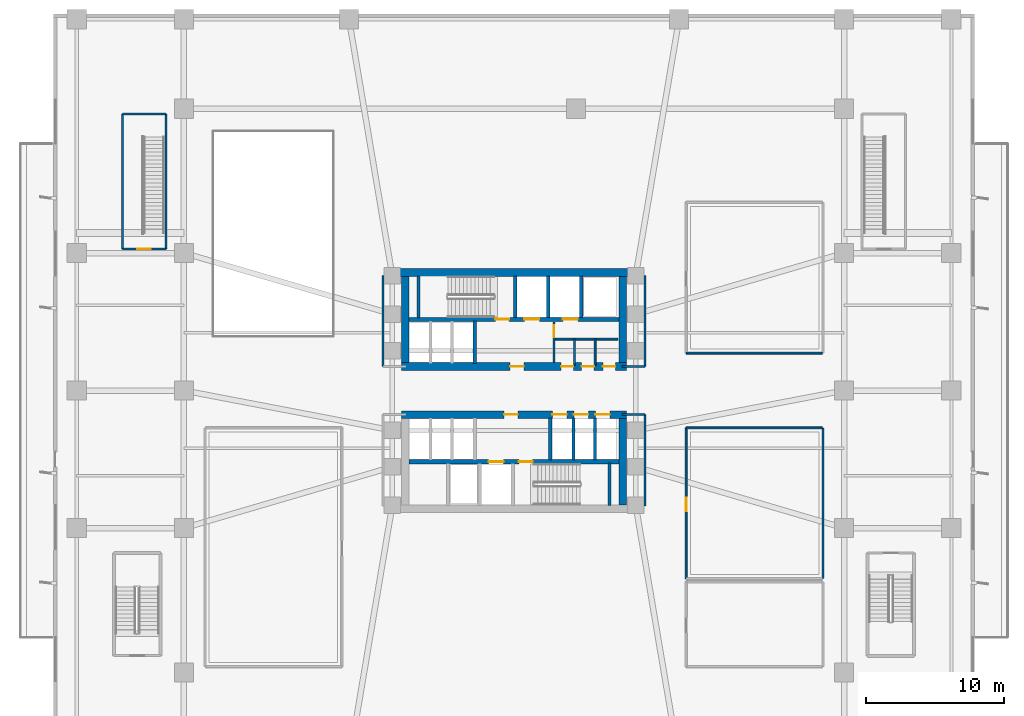
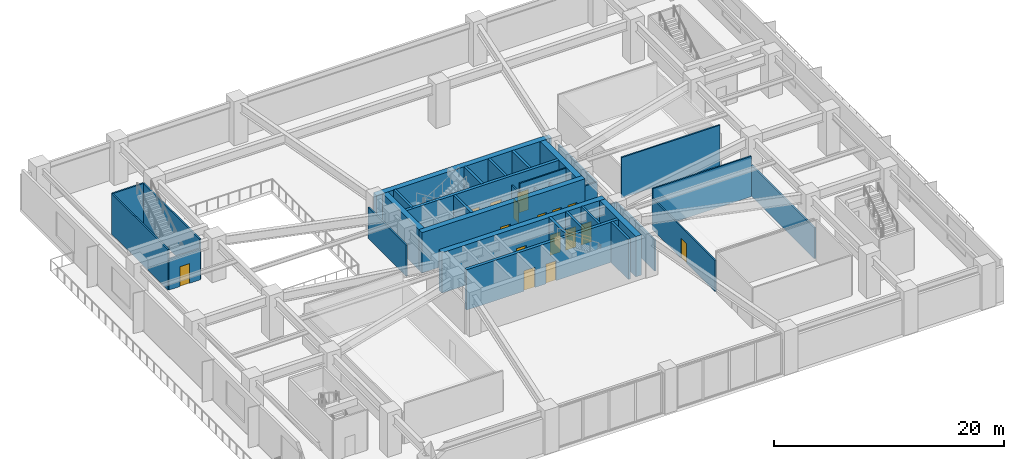
# One storey, part 7 of 13: 34 walls, 16 doors, 16 openings.
"""IFC4 building model written with IfcOpenShell, lengths in metres."""

from ifc_helpers import new_model, si_unit, direction, frame, frame_2d, origin, place, context, subcontext, project, spatial, rectangle, extrude, material, layer, layer_set, type_object, element, fill, save


model = new_model("IFC4")

# Units and contexts
model_context = context("Model", 3, precision=1e-05, world=origin(), true_north=direction((0.0, 1.0)))
body_context = subcontext(model_context, "Body", "Model", "MODEL_VIEW")
ifc_project = project(units=[si_unit("LENGTHUNIT", "METRE"), si_unit("AREAUNIT", "SQUARE_METRE"), si_unit("VOLUMEUNIT", "CUBIC_METRE"), si_unit("PLANEANGLEUNIT", "RADIAN"), si_unit("MASSUNIT", "GRAM", prefix="KILO")], contexts=[model_context])

# Site, building, storey
site_placement = place(None, origin())
site = spatial("IfcSite", under=ifc_project, at=site_placement, CompositionType="ELEMENT")
building_placement = place(site_placement, origin())
building = spatial("IfcBuilding", under=site, at=building_placement, Name="Solmarez Civic Tower", CompositionType="ELEMENT")
storey_placement = place(building_placement, frame((0.0, 0.0, 14.760009765625)))
storey = spatial("IfcBuildingStorey", under=building, at=storey_placement, Name="L03", CompositionType="ELEMENT", Elevation=14.760009765625)

# Wall
ifc_material_1 = material(Name="Concrete C60/75", Category="concrete")
ifc_layer_1 = layer(ifc_material_1, 0.550048828125)
ifc_layer_set_1 = layer_set([ifc_layer_1], Name="Concrete C60/75")
wall_type_1 = type_object("IfcWallType", Name="WALL-CORE-550", PredefinedType="SHEAR", material=ifc_layer_set_1)
wall_1_placement = place(storey_placement, frame((-8.780029296875, 8.5849609375, 0.0), z_axis=(0.0, 0.0, 1.0), x_axis=(1.0, 0.0, 0.0)))
element("IfcWall", 1, at=wall_1_placement, inside=storey, type_object=wall_type_1, Name="L03 Split-Core Structural Wall NCW-N-L03", PredefinedType="SHEAR", context=body_context, shape_type="SweptSolid", body=[
    extrude(rectangle(XDim=17.56005859375, YDim=0.550048828125, at=frame_2d((8.780029296875, 0.0))), origin(), (0.0, 0.0, 1.0), 4.280029296875),
])

# Wall, openings, doors
wall_2_placement = place(storey_placement, frame((8.169921875, 1.75, 0.0), z_axis=(0.0, 0.0, 1.0), x_axis=(-1.0, 0.0, 0.0)))
wall_2 = element("IfcWall", 2, at=wall_2_placement, inside=storey, type_object=wall_type_1, Name="L03 Split-Core Structural Wall NCW-S-L03", PredefinedType="SHEAR", context=body_context, shape_type="SweptSolid", body=[
    extrude(rectangle(XDim=16.33984375, YDim=0.550048828125, at=frame_2d((8.169921875, 0.0))), origin(), (0.0, 0.0, 1.0), 4.280029296875),
])
opening_1_placement = place(wall_2_placement, frame((7.449951171875, 0.0, 0.0)))
opening_1 = element("IfcOpeningElement", 3, at=opening_1_placement, cuts=wall_2, Name="Opening D-04", PredefinedType="OPENING", context=body_context, shape_type="SweptSolid", body=[
    extrude(rectangle(XDim=1.0, YDim=2.10009765625, at=frame_2d((0.5, 1.050048828125))), frame((0.0, 0.284912109375, 0.0), z_axis=(0.0, -1.0, 0.0), x_axis=(1.0, 0.0, 0.0)), (0.0, 0.0, 1.0), 0.570068359375),
])
opening_2_placement = place(wall_2_placement, frame((3.85009765625, 0.0, 0.0)))
opening_2 = element("IfcOpeningElement", 4, at=opening_2_placement, cuts=wall_2, Name="Opening D-09", PredefinedType="OPENING", context=body_context, shape_type="SweptSolid", body=[
    extrude(rectangle(XDim=0.89990234375, YDim=2.06005859375, at=frame_2d((0.449951171875, 1.030029296875))), frame((0.0, 0.284912109375, 0.0), z_axis=(0.0, -1.0, 0.0), x_axis=(1.0, 0.0, 0.0)), (0.0, 0.0, 1.0), 0.570068359375),
])
opening_3_placement = place(wall_2_placement, frame((2.35009765625, 0.0, 0.0)))
opening_3 = element("IfcOpeningElement", 5, at=opening_3_placement, cuts=wall_2, Name="Opening D-09", PredefinedType="OPENING", context=body_context, shape_type="SweptSolid", body=[
    extrude(rectangle(XDim=0.89990234375, YDim=2.06005859375, at=frame_2d((0.449951171875, 1.030029296875))), frame((0.0, 0.284912109375, 0.0), z_axis=(0.0, -1.0, 0.0), x_axis=(1.0, 0.0, 0.0)), (0.0, 0.0, 1.0), 0.570068359375),
])
opening_4_placement = place(wall_2_placement, frame((0.800048828125, 0.0, 0.0)))
opening_4 = element("IfcOpeningElement", 6, at=opening_4_placement, cuts=wall_2, Name="Opening D-09", PredefinedType="OPENING", context=body_context, shape_type="SweptSolid", body=[
    extrude(rectangle(XDim=0.89990234375, YDim=2.06005859375, at=frame_2d((0.449951171875, 1.030029296875))), frame((0.0, 0.284912109375, 0.0), z_axis=(0.0, -1.0, 0.0), x_axis=(1.0, 0.0, 0.0)), (0.0, 0.0, 1.0), 0.570068359375),
])
ifc_material_2 = material(Name="Steel-Faced Acoustic Fire Door", Category="steel")
door_type_1 = type_object("IfcDoorType", Name="DOOR-FD60-1000", OperationType="NOTDEFINED", PredefinedType="DOOR", material=ifc_material_2)
door_1_placement = place(opening_1_placement, origin())
door_1 = element("IfcDoor", 7, at=door_1_placement, inside=storey, type_object=door_type_1, Name="L03 North Firefighting Lobby Door", OperationType="SINGLE_SWING_RIGHT", OverallHeight=2.10009765625, OverallWidth=1.0, PredefinedType="DOOR", context=body_context, shape_type="SweptSolid", body=[
    extrude(rectangle(XDim=1.0, YDim=2.10009765625, at=frame_2d((0.5, 1.050048828125))), frame((0.0, 0.02490234375, 0.0), z_axis=(0.0, -1.0, 0.0), x_axis=(1.0, 0.0, 0.0)), (0.0, 0.0, 1.0), 0.050048828125),
])
fill(opening_1, door_1)
ifc_material_3 = material(Name="Fire-Rated Service Core Door", Category="wood")
door_type_2 = type_object("IfcDoorType", Name="DOOR-FD60-900", OperationType="NOTDEFINED", PredefinedType="DOOR", material=ifc_material_3)
door_2_placement = place(opening_2_placement, origin())
door_2 = element("IfcDoor", 8, at=door_2_placement, inside=storey, type_object=door_type_2, Name="L03 Core WC Door", OperationType="SINGLE_SWING_RIGHT", OverallHeight=2.06005859375, OverallWidth=0.89990234375, PredefinedType="DOOR", context=body_context, shape_type="SweptSolid", body=[
    extrude(rectangle(XDim=0.89990234375, YDim=2.06005859375, at=frame_2d((0.449951171875, 1.030029296875))), frame((0.0, 0.02490234375, 0.0), z_axis=(0.0, -1.0, 0.0), x_axis=(1.0, 0.0, 0.0)), (0.0, 0.0, 1.0), 0.050048828125),
])
fill(opening_2, door_2)
door_3_placement = place(opening_3_placement, origin())
door_3 = element("IfcDoor", 9, at=door_3_placement, inside=storey, type_object=door_type_2, Name="L03 Core CL Door", OperationType="SINGLE_SWING_LEFT", OverallHeight=2.06005859375, OverallWidth=0.89990234375, PredefinedType="DOOR", context=body_context, shape_type="SweptSolid", body=[
    extrude(rectangle(XDim=0.89990234375, YDim=2.06005859375, at=frame_2d((0.449951171875, 1.030029296875))), frame((0.0, 0.02490234375, 0.0), z_axis=(0.0, -1.0, 0.0), x_axis=(1.0, 0.0, 0.0)), (0.0, 0.0, 1.0), 0.050048828125),
])
fill(opening_3, door_3)
door_4_placement = place(opening_4_placement, origin())
door_4 = element("IfcDoor", 10, at=door_4_placement, inside=storey, type_object=door_type_2, Name="L03 Core IT Door", OperationType="SINGLE_SWING_LEFT", OverallHeight=2.06005859375, OverallWidth=0.89990234375, PredefinedType="DOOR", context=body_context, shape_type="SweptSolid", body=[
    extrude(rectangle(XDim=0.89990234375, YDim=2.06005859375, at=frame_2d((0.449951171875, 1.030029296875))), frame((0.0, 0.02490234375, 0.0), z_axis=(0.0, -1.0, 0.0), x_axis=(1.0, 0.0, 0.0)), (0.0, 0.0, 1.0), 0.050048828125),
])
fill(opening_4, door_4)

# Walls
for number, where, z_axis, x_axis, name in (
    (11, (-7.89501953125, 2.02490234375, 0.0), (0.0, 0.0, 1.0), (0.0, 1.0, 0.0), "L03 Split-Core Structural Wall NCW-W-L03"),
    (12, (7.89501953125, 8.31005859375, 0.0), (0.0, 0.0, 1.0), (0.0, -1.0, 0.0), "L03 Split-Core Structural Wall NCW-E-L03"),
):
    element("IfcWall", number, at=place(storey_placement, frame(where, z_axis=z_axis, x_axis=x_axis)), inside=storey, type_object=wall_type_1, Name=name, PredefinedType="SHEAR", context=body_context, shape_type="SweptSolid", body=[
        extrude(rectangle(XDim=6.28515625, YDim=0.550048828125, at=frame_2d((3.142578125, 0.0))), origin(), (0.0, 0.0, 1.0), 4.280029296875),
    ])

# Wall, openings, doors
wall_3_placement = place(storey_placement, frame((-8.169921875, -1.75, 0.0), z_axis=(0.0, 0.0, 1.0), x_axis=(1.0, 0.0, 0.0)))
wall_3 = element("IfcWall", 13, at=wall_3_placement, inside=storey, type_object=wall_type_1, Name="L03 Split-Core Structural Wall SCW-N-L03", PredefinedType="SHEAR", context=body_context, shape_type="SweptSolid", body=[
    extrude(rectangle(XDim=16.33984375, YDim=0.550048828125, at=frame_2d((8.169921875, 0.0))), origin(), (0.0, 0.0, 1.0), 4.280029296875),
])
opening_5_placement = place(wall_3_placement, frame((7.449951171875, 0.0, 0.0)))
opening_5 = element("IfcOpeningElement", 14, at=opening_5_placement, cuts=wall_3, Name="Opening D-04", PredefinedType="OPENING", context=body_context, shape_type="SweptSolid", body=[
    extrude(rectangle(XDim=1.0, YDim=2.10009765625, at=frame_2d((0.5, 1.050048828125))), frame((0.0, 0.284912109375, 0.0), z_axis=(0.0, -1.0, 0.0), x_axis=(1.0, 0.0, 0.0)), (0.0, 0.0, 1.0), 0.570068359375),
])
opening_6_placement = place(wall_3_placement, frame((10.965087890625, 0.0, 0.0)))
opening_6 = element("IfcOpeningElement", 15, at=opening_6_placement, cuts=wall_3, Name="Opening LD-01", PredefinedType="OPENING", context=body_context, shape_type="SweptSolid", body=[
    extrude(rectangle(XDim=1.050048828125, YDim=2.14990234375, at=frame_2d((0.52490234375, 1.074951171875))), frame((0.0, 0.284912109375, 0.0), z_axis=(0.0, -1.0, 0.0), x_axis=(1.0, 0.0, 0.0)), (0.0, 0.0, 1.0), 0.570068359375),
])
opening_7_placement = place(wall_3_placement, frame((12.52490234375, 0.0, 0.0)))
opening_7 = element("IfcOpeningElement", 16, at=opening_7_placement, cuts=wall_3, Name="Opening LD-01", PredefinedType="OPENING", context=body_context, shape_type="SweptSolid", body=[
    extrude(rectangle(XDim=1.050048828125, YDim=2.14990234375, at=frame_2d((0.52490234375, 1.074951171875))), frame((0.0, 0.284912109375, 0.0), z_axis=(0.0, -1.0, 0.0), x_axis=(1.0, 0.0, 0.0)), (0.0, 0.0, 1.0), 0.570068359375),
])
opening_8_placement = place(wall_3_placement, frame((14.0849609375, 0.0, 0.0)))
opening_8 = element("IfcOpeningElement", 17, at=opening_8_placement, cuts=wall_3, Name="Opening LD-01", PredefinedType="OPENING", context=body_context, shape_type="SweptSolid", body=[
    extrude(rectangle(XDim=1.050048828125, YDim=2.14990234375, at=frame_2d((0.52490234375, 1.074951171875))), frame((0.0, 0.284912109375, 0.0), z_axis=(0.0, -1.0, 0.0), x_axis=(1.0, 0.0, 0.0)), (0.0, 0.0, 1.0), 0.570068359375),
])
door_5_placement = place(opening_5_placement, origin())
door_5 = element("IfcDoor", 18, at=door_5_placement, inside=storey, type_object=door_type_1, Name="L03 South Firefighting Lobby Door", OperationType="SINGLE_SWING_LEFT", OverallHeight=2.10009765625, OverallWidth=1.0, PredefinedType="DOOR", context=body_context, shape_type="SweptSolid", body=[
    extrude(rectangle(XDim=1.0, YDim=2.10009765625, at=frame_2d((0.5, 1.050048828125))), frame((0.0, 0.02490234375, 0.0), z_axis=(0.0, -1.0, 0.0), x_axis=(1.0, 0.0, 0.0)), (0.0, 0.0, 1.0), 0.050048828125),
])
fill(opening_5, door_5)
ifc_material_4 = material(Name="Bronze Passenger Lift Landing Sliding Door", Category="aluminium")
door_type_3 = type_object("IfcDoorType", Name="DOOR-LD-PAX-1050", OperationType="DOUBLE_DOOR_SLIDING", PredefinedType="DOOR", material=ifc_material_4)
door_6_placement = place(opening_6_placement, origin())
door_6 = element("IfcDoor", 19, at=door_6_placement, inside=storey, type_object=door_type_3, Name="L03 Low-Rise Lift Landing Door PL-L1", OperationType="DOUBLE_DOOR_SLIDING", OverallHeight=2.14990234375, OverallWidth=1.050048828125, PredefinedType="DOOR", context=body_context, shape_type="SweptSolid", body=[
    extrude(rectangle(XDim=1.050048828125, YDim=2.14990234375, at=frame_2d((0.52490234375, 1.074951171875))), frame((0.0, 0.02490234375, 0.0), z_axis=(0.0, -1.0, 0.0), x_axis=(1.0, 0.0, 0.0)), (0.0, 0.0, 1.0), 0.050048828125),
])
fill(opening_6, door_6)
door_7_placement = place(opening_7_placement, origin())
door_7 = element("IfcDoor", 20, at=door_7_placement, inside=storey, type_object=door_type_3, Name="L03 Low-Rise Lift Landing Door PL-L2", OperationType="DOUBLE_DOOR_SLIDING", OverallHeight=2.14990234375, OverallWidth=1.050048828125, PredefinedType="DOOR", context=body_context, shape_type="SweptSolid", body=[
    extrude(rectangle(XDim=1.050048828125, YDim=2.14990234375, at=frame_2d((0.52490234375, 1.074951171875))), frame((0.0, 0.02490234375, 0.0), z_axis=(0.0, -1.0, 0.0), x_axis=(1.0, 0.0, 0.0)), (0.0, 0.0, 1.0), 0.050048828125),
])
fill(opening_7, door_7)
door_8_placement = place(opening_8_placement, origin())
door_8 = element("IfcDoor", 21, at=door_8_placement, inside=storey, type_object=door_type_3, Name="L03 Low-Rise Lift Landing Door PL-L3", OperationType="DOUBLE_DOOR_SLIDING", OverallHeight=2.14990234375, OverallWidth=1.050048828125, PredefinedType="DOOR", context=body_context, shape_type="SweptSolid", body=[
    extrude(rectangle(XDim=1.050048828125, YDim=2.14990234375, at=frame_2d((0.52490234375, 1.074951171875))), frame((0.0, 0.02490234375, 0.0), z_axis=(0.0, -1.0, 0.0), x_axis=(1.0, 0.0, 0.0)), (0.0, 0.0, 1.0), 0.050048828125),
])
fill(opening_8, door_8)

# Walls
wall_4_placement = place(storey_placement, frame((7.89501953125, -2.02490234375, 0.0), z_axis=(0.0, 0.0, 1.0), x_axis=(0.0, -1.0, 0.0)))
element("IfcWall", 22, at=wall_4_placement, inside=storey, type_object=wall_type_1, Name="L03 Split-Core Structural Wall SCW-E-L03", PredefinedType="SHEAR", context=body_context, shape_type="SweptSolid", body=[
    extrude(rectangle(XDim=6.28515625, YDim=0.550048828125, at=frame_2d((3.142578125, 0.0))), origin(), (0.0, 0.0, 1.0), 4.280029296875),
])
ifc_material_5 = material(Name="Gypsum Board Acoustic Steel-Stud Partition", Category="steel")
ifc_layer_2 = layer(ifc_material_5, 0.14990234375)
ifc_layer_set_2 = layer_set([ifc_layer_2], Name="Gypsum Board Acoustic Steel-Stud Partition")
wall_type_2 = type_object("IfcWallType", Name="WALL-INT-FIRE-150", PredefinedType="PARTITIONING", material=ifc_layer_set_2)
for number, where, z_axis, x_axis, name in (
    (23, (-28.47998046875, 10.300048828125, 0.0), (0.0, 0.0, 1.0), (0.0, 1.0, 0.0), "L03 Podium Stair P3 Shaft Wall"),
    (24, (-25.320068359375, 10.300048828125, 0.0), (0.0, 0.0, 1.0), (0.0, 1.0, 0.0), "L03 Podium Stair P3 Shaft Wall"),
):
    element("IfcWall", number, at=place(storey_placement, frame(where, z_axis=z_axis, x_axis=x_axis)), inside=storey, type_object=wall_type_2, Name=name, PredefinedType="PARTITIONING", context=body_context, shape_type="SweptSolid", body=[
        extrude(rectangle(XDim=9.800048828125, YDim=0.14990234375, at=frame_2d((4.89990234375, 0.0))), origin(), (0.0, 0.0, 1.0), 4.280029296875),
    ])

# Wall, opening, door
wall_5_placement = place(storey_placement, frame((-28.47998046875, 10.300048828125, 0.0), z_axis=(0.0, 0.0, 1.0), x_axis=(1.0, 0.0, 0.0)))
wall_5 = element("IfcWall", 25, at=wall_5_placement, inside=storey, type_object=wall_type_2, Name="L03 Podium Stair P3 Shaft Wall", PredefinedType="PARTITIONING", context=body_context, shape_type="SweptSolid", body=[
    extrude(rectangle(XDim=3.159912109375, YDim=0.14990234375, at=frame_2d((1.580078125, 0.0))), origin(), (0.0, 0.0, 1.0), 3.2900390625),
])
opening_9_placement = place(wall_5_placement, frame((1.080078125, 0.0, 0.0)))
opening_9 = element("IfcOpeningElement", 26, at=opening_9_placement, cuts=wall_5, Name="Opening D-05", PredefinedType="OPENING", context=body_context, shape_type="SweptSolid", body=[
    extrude(rectangle(XDim=1.0, YDim=2.10009765625, at=frame_2d((0.5, 1.050048828125))), frame((0.0, 0.0849609375, 0.0), z_axis=(0.0, -1.0, 0.0), x_axis=(1.0, 0.0, 0.0)), (0.0, 0.0, 1.0), 0.169921875),
])
ifc_material_6 = material(Name="Fire-Rated Stairwell Exit Door", Category="wood")
door_type_4 = type_object("IfcDoorType", Name="DOOR-FD90-1000", OperationType="NOTDEFINED", PredefinedType="DOOR", material=ifc_material_6)
door_9_placement = place(opening_9_placement, origin())
door_9 = element("IfcDoor", 27, at=door_9_placement, inside=storey, type_object=door_type_4, Name="L03 Podium Stair P3 Entry Door", OperationType="SINGLE_SWING_RIGHT", OverallHeight=2.10009765625, OverallWidth=1.0, PredefinedType="DOOR", context=body_context, shape_type="SweptSolid", body=[
    extrude(rectangle(XDim=1.0, YDim=2.10009765625, at=frame_2d((0.5, 1.050048828125))), frame((0.0, 0.02490234375, 0.0), z_axis=(0.0, -1.0, 0.0), x_axis=(1.0, 0.0, 0.0)), (0.0, 0.0, 1.0), 0.050048828125),
])
fill(opening_9, door_9)

# Walls
wall_6_placement = place(storey_placement, frame((-25.320068359375, 20.10009765625, 0.0), z_axis=(0.0, 0.0, 1.0), x_axis=(-1.0, 0.0, 0.0)))
element("IfcWall", 28, at=wall_6_placement, inside=storey, type_object=wall_type_2, Name="L03 Podium Stair P3 Shaft Wall", PredefinedType="PARTITIONING", context=body_context, shape_type="SweptSolid", body=[
    extrude(rectangle(XDim=3.159912109375, YDim=0.14990234375, at=frame_2d((1.580078125, 0.0))), origin(), (0.0, 0.0, 1.0), 4.280029296875),
])
for number, where, z_axis, x_axis, name in (
    (29, (-9.52001953125, 1.75, 0.0), (0.0, 0.0, 1.0), (0.0, 1.0, 0.0), "L03 Interior Partition CHW-L03-WN1"),
    (30, (9.52001953125, 1.75, 0.0), (0.0, 0.0, 1.0), (0.0, 1.0, 0.0), "L03 Interior Partition CHW-L03-EN1"),
):
    element("IfcWall", number, at=place(storey_placement, frame(where, z_axis=z_axis, x_axis=x_axis)), inside=storey, type_object=wall_type_2, Name=name, PredefinedType="PARTITIONING", context=body_context, shape_type="SweptSolid", body=[
        extrude(rectangle(XDim=6.6298828125, YDim=0.14990234375, at=frame_2d((3.31494140625, 0.0))), origin(), (0.0, 0.0, 1.0), 3.2900390625),
    ])
wall_7_placement = place(storey_placement, frame((7.85009765625, 1.75, 0.0), z_axis=(0.0, 0.0, 1.0), x_axis=(1.0, 0.0, 0.0)))
element("IfcWall", 31, at=wall_7_placement, inside=storey, type_object=wall_type_2, Name="L03 Interior Partition CHW-L03-EN3", PredefinedType="PARTITIONING", context=body_context, shape_type="SweptSolid", body=[
    extrude(rectangle(XDim=1.669921875, YDim=0.14990234375, at=frame_2d((0.8349609375, 0.0))), origin(), (0.0, 0.0, 1.0), 3.344970703125),
])
wall_8_placement = place(storey_placement, frame((9.52001953125, -8.3798828125, 0.0), z_axis=(0.0, 0.0, 1.0), x_axis=(0.0, 1.0, 0.0)))
element("IfcWall", 32, at=wall_8_placement, inside=storey, type_object=wall_type_2, Name="L03 Interior Partition CHW-L03-ES1", PredefinedType="PARTITIONING", context=body_context, shape_type="SweptSolid", body=[
    extrude(rectangle(XDim=6.6298828125, YDim=0.14990234375, at=frame_2d((3.31494140625, 0.0))), origin(), (0.0, 0.0, 1.0), 3.2900390625),
])
wall_9_placement = place(storey_placement, frame((7.85009765625, -1.75, 0.0), z_axis=(0.0, 0.0, 1.0), x_axis=(1.0, 0.0, 0.0)))
element("IfcWall", 33, at=wall_9_placement, inside=storey, type_object=wall_type_2, Name="L03 Interior Partition CHW-L03-ES3", PredefinedType="PARTITIONING", context=body_context, shape_type="SweptSolid", body=[
    extrude(rectangle(XDim=1.669921875, YDim=0.14990234375, at=frame_2d((0.8349609375, 0.0))), origin(), (0.0, 0.0, 1.0), 3.344970703125),
])
wall_10_placement = place(storey_placement, frame((22.47998046875, -13.679931640625, 0.0), z_axis=(0.0, 0.0, 1.0), x_axis=(0.0, 1.0, 0.0)))
element("IfcWall", 34, at=wall_10_placement, inside=storey, type_object=wall_type_2, Name="L03 Interior Partition PT-L0X-L03-SE1-B", PredefinedType="PARTITIONING", context=body_context, shape_type="SweptSolid", body=[
    extrude(rectangle(XDim=10.9599609375, YDim=0.14990234375, at=frame_2d((5.47998046875, 0.0))), origin(), (0.0, 0.0, 1.0), 3.2900390625),
])
ifc_layer_3 = layer(ifc_material_5, 0.14501953125)
ifc_layer_set_3 = layer_set([ifc_layer_3], Name="Gypsum Board Acoustic Steel-Stud Partition")
wall_type_3 = type_object("IfcWallType", Name="WALL-INT-PART-150", PredefinedType="PARTITIONING", material=ifc_layer_set_3)
wall_11_placement = place(storey_placement, frame((12.52001953125, 2.719970703125, 0.0), z_axis=(0.0, 0.0, 1.0), x_axis=(1.0, 0.0, 0.0)))
element("IfcWall", 35, at=wall_11_placement, inside=storey, type_object=wall_type_3, Name="L03 Interior Partition PT-L0X-L03-NE1-S", PredefinedType="PARTITIONING", context=body_context, shape_type="SweptSolid", body=[
    extrude(rectangle(XDim=9.8798828125, YDim=0.14501953125, at=frame_2d((4.93994140625, 0.0))), origin(), (0.0, 0.0, 1.0), 4.280029296875),
])

# Wall, opening, door
wall_12_placement = place(storey_placement, frame((12.52001953125, -13.679931640625, 0.0), z_axis=(0.0, 0.0, 1.0), x_axis=(0.0, 1.0, 0.0)))
wall_12 = element("IfcWall", 36, at=wall_12_placement, inside=storey, type_object=wall_type_3, Name="L03 Interior Partition PT-L0X-L03-SE1-F", PredefinedType="PARTITIONING", context=body_context, shape_type="SweptSolid", body=[
    extrude(rectangle(XDim=10.9599609375, YDim=0.14501953125, at=frame_2d((5.47998046875, 0.0))), origin(), (0.0, 0.0, 1.0), 3.2900390625),
])
opening_10_placement = place(wall_12_placement, frame((4.89990234375, 0.0, 0.0)))
opening_10 = element("IfcOpeningElement", 37, at=opening_10_placement, cuts=wall_12, Name="Opening D-04", PredefinedType="OPENING", context=body_context, shape_type="SweptSolid", body=[
    extrude(rectangle(XDim=1.0, YDim=2.10009765625, at=frame_2d((0.5, 1.050048828125))), frame((0.0, 0.08251953125, 0.0), z_axis=(0.0, -1.0, 0.0), x_axis=(1.0, 0.0, 0.0)), (0.0, 0.0, 1.0), 0.1650390625),
])
door_10_placement = place(opening_10_placement, origin())
door_10 = element("IfcDoor", 38, at=door_10_placement, inside=storey, type_object=door_type_1, Name="L03 Municipal Records Registry Reading Library Door", OperationType="SINGLE_SWING_LEFT", OverallHeight=2.10009765625, OverallWidth=1.0, PredefinedType="DOOR", context=body_context, shape_type="SweptSolid", body=[
    extrude(rectangle(XDim=1.0, YDim=2.10009765625, at=frame_2d((0.5, 1.050048828125))), frame((0.0, 0.02490234375, 0.0), z_axis=(0.0, -1.0, 0.0), x_axis=(1.0, 0.0, 0.0)), (0.0, 0.0, 1.0), 0.050048828125),
])
fill(opening_10, door_10)

# Wall
wall_13_placement = place(storey_placement, frame((12.52001953125, -2.719970703125, 0.0), z_axis=(0.0, 0.0, 1.0), x_axis=(1.0, 0.0, 0.0)))
element("IfcWall", 39, at=wall_13_placement, inside=storey, type_object=wall_type_3, Name="L03 Interior Partition PT-L0X-L03-SE1-N", PredefinedType="PARTITIONING", context=body_context, shape_type="SweptSolid", body=[
    extrude(rectangle(XDim=9.8798828125, YDim=0.14501953125, at=frame_2d((4.93994140625, 0.0))), origin(), (0.0, 0.0, 1.0), 4.280029296875),
])

# Wall, opening, door
ifc_layer_4 = layer(ifc_material_5, 0.159912109375)
ifc_layer_set_4 = layer_set([ifc_layer_4], Name="Gypsum Board Acoustic Steel-Stud Partition")
wall_type_4 = type_object("IfcWallType", Name="WALL-INT-SHAFT-160", PredefinedType="PARTITIONING", material=ifc_layer_set_4)
wall_14_placement = place(storey_placement, frame((2.89990234375, 2.0400390625, 0.0), z_axis=(0.0, 0.0, 1.0), x_axis=(0.0, 1.0, 0.0)))
wall_14 = element("IfcWall", 40, at=wall_14_placement, inside=storey, type_object=wall_type_4, Name="L03 Interior Partition SHW-NL2-L03", PredefinedType="PARTITIONING", context=body_context, shape_type="SweptSolid", body=[
    extrude(rectangle(XDim=2.93994140625, YDim=0.159912109375, at=frame_2d((1.469970703125, 0.0))), origin(), (0.0, 0.0, 1.0), 3.344970703125),
])
opening_11_placement = place(wall_14_placement, frame((1.820068359375, 0.0, 0.0)))
opening_11 = element("IfcOpeningElement", 41, at=opening_11_placement, cuts=wall_14, Name="Opening D-09", PredefinedType="OPENING", context=body_context, shape_type="SweptSolid", body=[
    extrude(rectangle(XDim=0.89990234375, YDim=2.06005859375, at=frame_2d((0.449951171875, 1.030029296875))), frame((0.0, 0.08984375, 0.0), z_axis=(0.0, -1.0, 0.0), x_axis=(1.0, 0.0, 0.0)), (0.0, 0.0, 1.0), 0.179931640625),
])
door_11_placement = place(opening_11_placement, origin())
door_11 = element("IfcDoor", 42, at=door_11_placement, inside=storey, type_object=door_type_2, Name="L03 Service Lift Lobby Door", OperationType="SINGLE_SWING_LEFT", OverallHeight=2.06005859375, OverallWidth=0.89990234375, PredefinedType="DOOR", context=body_context, shape_type="SweptSolid", body=[
    extrude(rectangle(XDim=0.89990234375, YDim=2.06005859375, at=frame_2d((0.449951171875, 1.030029296875))), frame((0.0, 0.02490234375, 0.0), z_axis=(0.0, -1.0, 0.0), x_axis=(1.0, 0.0, 0.0)), (0.0, 0.0, 1.0), 0.050048828125),
])
fill(opening_11, door_11)

# Walls
ifc_layer_5 = layer(ifc_material_5, 0.137939453125)
ifc_layer_set_5 = layer_set([ifc_layer_5], Name="Gypsum Board Acoustic Steel-Stud Partition")
wall_type_5 = type_object("IfcWallType", Name="WALL-INT-WET-140", PredefinedType="PARTITIONING", material=ifc_layer_set_5)
wall_15_placement = place(storey_placement, frame((2.89990234375, 3.739990234375, 0.0), z_axis=(0.0, 0.0, 1.0), x_axis=(1.0, 0.0, 0.0)))
element("IfcWall", 43, at=wall_15_placement, inside=storey, type_object=wall_type_5, Name="L03 Interior Partition SHW-SVH-L03", PredefinedType="PARTITIONING", context=body_context, shape_type="SweptSolid", body=[
    extrude(rectangle(XDim=4.650146484375, YDim=0.137939453125, at=frame_2d((2.3251953125, 0.0))), origin(), (0.0, 0.0, 1.0), 4.280029296875),
])
for number, where, z_axis, x_axis, name in (
    (44, (4.39990234375, 1.85009765625, 0.0), (0.0, 0.0, 1.0), (0.0, 1.0, 0.0), "L03 Interior Partition PT-NCSV1-L03"),
    (45, (5.89990234375, 1.85009765625, 0.0), (0.0, 0.0, 1.0), (0.0, 1.0, 0.0), "L03 Interior Partition PT-NCSV2-L03"),
):
    element("IfcWall", number, at=place(storey_placement, frame(where, z_axis=z_axis, x_axis=x_axis)), inside=storey, type_object=wall_type_5, Name=name, PredefinedType="PARTITIONING", context=body_context, shape_type="SweptSolid", body=[
        extrude(rectangle(XDim=1.889892578125, YDim=0.137939453125, at=frame_2d((0.94482421875, 0.0))), origin(), (0.0, 0.0, 1.0), 3.344970703125),
    ])

# Wall, openings, doors
ifc_material_7 = material(Name="Concrete C50/60", Category="concrete")
ifc_layer_6 = layer(ifc_material_7, 0.300048828125)
ifc_layer_set_6 = layer_set([ifc_layer_6], Name="Concrete C50/60")
wall_type_6 = type_object("IfcWallType", Name="WALL-STR-300", PredefinedType="SOLIDWALL", material=ifc_layer_set_6)
wall_16_placement = place(storey_placement, frame((7.6201171875, 5.179931640625, 0.0), z_axis=(0.0, 0.0, 1.0), x_axis=(-1.0, 0.0, 0.0)))
wall_16 = element("IfcWall", 46, at=wall_16_placement, inside=storey, type_object=wall_type_6, Name="L03 Split-Core Structural Wall NCW-M-L03", PredefinedType="SOLIDWALL", context=body_context, shape_type="SweptSolid", body=[
    extrude(rectangle(XDim=15.240234375, YDim=0.300048828125, at=frame_2d((7.6201171875, 0.0))), origin(), (0.0, 0.0, 1.0), 4.280029296875),
])
opening_12_placement = place(wall_16_placement, frame((5.77001953125, 0.0, 0.0)))
opening_12 = element("IfcOpeningElement", 47, at=opening_12_placement, cuts=wall_16, Name="Opening LD-02", PredefinedType="OPENING", context=body_context, shape_type="SweptSolid", body=[
    extrude(rectangle(XDim=1.10009765625, YDim=2.14990234375, at=frame_2d((0.550048828125, 1.074951171875))), frame((0.0, 0.159912109375, 0.0), z_axis=(0.0, -1.0, 0.0), x_axis=(1.0, 0.0, 0.0)), (0.0, 0.0, 1.0), 0.320068359375),
])
opening_13_placement = place(wall_16_placement, frame((2.969970703125, 0.0, 0.0)))
opening_13 = element("IfcOpeningElement", 48, at=opening_13_placement, cuts=wall_16, Name="Opening LD-03", PredefinedType="OPENING", context=body_context, shape_type="SweptSolid", body=[
    extrude(rectangle(XDim=1.10009765625, YDim=2.14990234375, at=frame_2d((0.550048828125, 1.074951171875))), frame((0.0, 0.159912109375, 0.0), z_axis=(0.0, -1.0, 0.0), x_axis=(1.0, 0.0, 0.0)), (0.0, 0.0, 1.0), 0.320068359375),
])
opening_14_placement = place(wall_16_placement, frame((7.969970703125, 0.0, 0.0)))
opening_14 = element("IfcOpeningElement", 49, at=opening_14_placement, cuts=wall_16, Name="Opening D-05", PredefinedType="OPENING", context=body_context, shape_type="SweptSolid", body=[
    extrude(rectangle(XDim=1.0, YDim=2.10009765625, at=frame_2d((0.5, 1.050048828125))), frame((0.0, 0.159912109375, 0.0), z_axis=(0.0, -1.0, 0.0), x_axis=(1.0, 0.0, 0.0)), (0.0, 0.0, 1.0), 0.320068359375),
])
door_12_placement = place(opening_14_placement, origin())
door_12 = element("IfcDoor", 50, at=door_12_placement, inside=storey, type_object=door_type_4, Name="L03 North Exit Stair Door ST-1", OperationType="SINGLE_SWING_RIGHT", OverallHeight=2.10009765625, OverallWidth=1.0, PredefinedType="DOOR", context=body_context, shape_type="SweptSolid", body=[
    extrude(rectangle(XDim=1.0, YDim=2.10009765625, at=frame_2d((0.5, 1.050048828125))), frame((0.0, 0.02490234375, 0.0), z_axis=(0.0, -1.0, 0.0), x_axis=(1.0, 0.0, 0.0)), (0.0, 0.0, 1.0), 0.050048828125),
])
fill(opening_14, door_12)
ifc_material_8 = material(Name="Stainless Firefighting Lift Landing Sliding Door", Category="aluminium")
door_type_5 = type_object("IfcDoorType", Name="DOOR-LD-FF-1100", OperationType="DOUBLE_DOOR_SLIDING", PredefinedType="DOOR", material=ifc_material_8)
door_13_placement = place(opening_12_placement, origin())
door_13 = element("IfcDoor", 51, at=door_13_placement, inside=storey, type_object=door_type_5, Name="L03 Firefighting Lift Landing Door FFL-1", OperationType="DOUBLE_DOOR_SLIDING", OverallHeight=2.14990234375, OverallWidth=1.10009765625, PredefinedType="DOOR", context=body_context, shape_type="SweptSolid", body=[
    extrude(rectangle(XDim=1.10009765625, YDim=2.14990234375, at=frame_2d((0.550048828125, 1.074951171875))), frame((0.0, 0.02490234375, 0.0), z_axis=(0.0, -1.0, 0.0), x_axis=(1.0, 0.0, 0.0)), (0.0, 0.0, 1.0), 0.050048828125),
])
fill(opening_12, door_13)
ifc_material_9 = material(Name="Stainless Stretcher Lift Landing Sliding Door", Category="aluminium")
door_type_6 = type_object("IfcDoorType", Name="DOOR-LD-SV-1100", OperationType="DOUBLE_DOOR_SLIDING", PredefinedType="DOOR", material=ifc_material_9)
door_14_placement = place(opening_13_placement, origin())
door_14 = element("IfcDoor", 52, at=door_14_placement, inside=storey, type_object=door_type_6, Name="L03 Service Stretcher Lift Landing Door SVL-1", OperationType="DOUBLE_DOOR_SLIDING", OverallHeight=2.14990234375, OverallWidth=1.10009765625, PredefinedType="DOOR", context=body_context, shape_type="SweptSolid", body=[
    extrude(rectangle(XDim=1.10009765625, YDim=2.14990234375, at=frame_2d((0.550048828125, 1.074951171875))), frame((0.0, 0.02490234375, 0.0), z_axis=(0.0, -1.0, 0.0), x_axis=(1.0, 0.0, 0.0)), (0.0, 0.0, 1.0), 0.050048828125),
])
fill(opening_13, door_14)

wall_17_placement = place(storey_placement, frame((-7.6201171875, -5.179931640625, 0.0), z_axis=(0.0, 0.0, 1.0), x_axis=(1.0, 0.0, 0.0)))
wall_17 = element("IfcWall", 53, at=wall_17_placement, inside=storey, type_object=wall_type_6, Name="L03 Split-Core Structural Wall SCW-M-L03", PredefinedType="SOLIDWALL", context=body_context, shape_type="SweptSolid", body=[
    extrude(rectangle(XDim=15.240234375, YDim=0.300048828125, at=frame_2d((7.6201171875, 0.0))), origin(), (0.0, 0.0, 1.0), 4.280029296875),
])
opening_15_placement = place(wall_17_placement, frame((5.77001953125, 0.0, 0.0)))
opening_15 = element("IfcOpeningElement", 54, at=opening_15_placement, cuts=wall_17, Name="Opening LD-02", PredefinedType="OPENING", context=body_context, shape_type="SweptSolid", body=[
    extrude(rectangle(XDim=1.10009765625, YDim=2.14990234375, at=frame_2d((0.550048828125, 1.074951171875))), frame((0.0, 0.159912109375, 0.0), z_axis=(0.0, -1.0, 0.0), x_axis=(1.0, 0.0, 0.0)), (0.0, 0.0, 1.0), 0.320068359375),
])
opening_16_placement = place(wall_17_placement, frame((7.969970703125, 0.0, 0.0)))
opening_16 = element("IfcOpeningElement", 55, at=opening_16_placement, cuts=wall_17, Name="Opening D-05", PredefinedType="OPENING", context=body_context, shape_type="SweptSolid", body=[
    extrude(rectangle(XDim=1.0, YDim=2.10009765625, at=frame_2d((0.5, 1.050048828125))), frame((0.0, 0.159912109375, 0.0), z_axis=(0.0, -1.0, 0.0), x_axis=(1.0, 0.0, 0.0)), (0.0, 0.0, 1.0), 0.320068359375),
])
door_15_placement = place(opening_16_placement, origin())
door_15 = element("IfcDoor", 56, at=door_15_placement, inside=storey, type_object=door_type_4, Name="L03 South Exit Stair Door ST-2", OperationType="SINGLE_SWING_LEFT", OverallHeight=2.10009765625, OverallWidth=1.0, PredefinedType="DOOR", context=body_context, shape_type="SweptSolid", body=[
    extrude(rectangle(XDim=1.0, YDim=2.10009765625, at=frame_2d((0.5, 1.050048828125))), frame((0.0, 0.02490234375, 0.0), z_axis=(0.0, -1.0, 0.0), x_axis=(1.0, 0.0, 0.0)), (0.0, 0.0, 1.0), 0.050048828125),
])
fill(opening_16, door_15)
door_16_placement = place(opening_15_placement, origin())
door_16 = element("IfcDoor", 57, at=door_16_placement, inside=storey, type_object=door_type_5, Name="L03 Firefighting Lift Landing Door FFL-2", OperationType="DOUBLE_DOOR_SLIDING", OverallHeight=2.14990234375, OverallWidth=1.10009765625, PredefinedType="DOOR", context=body_context, shape_type="SweptSolid", body=[
    extrude(rectangle(XDim=1.10009765625, YDim=2.14990234375, at=frame_2d((0.550048828125, 1.074951171875))), frame((0.0, 0.02490234375, 0.0), z_axis=(0.0, -1.0, 0.0), x_axis=(1.0, 0.0, 0.0)), (0.0, 0.0, 1.0), 0.050048828125),
])
fill(opening_15, door_16)

# Walls
for number, where, z_axis, x_axis, name in (
    (58, (-6.949951171875, 5.280029296875, 0.0), (0.0, 0.0, 1.0), (0.0, 1.0, 0.0), "L03 Split-Core Structural Wall SHW-NW-L03"),
    (59, (6.949951171875, -8.340087890625, 0.0), (0.0, 0.0, 1.0), (0.0, 1.0, 0.0), "L03 Split-Core Structural Wall SHW-SE-L03"),
):
    element("IfcWall", number, at=place(storey_placement, frame(where, z_axis=z_axis, x_axis=x_axis)), inside=storey, type_object=wall_type_6, Name=name, PredefinedType="SOLIDWALL", context=body_context, shape_type="SweptSolid", body=[
        extrude(rectangle(XDim=3.06005859375, YDim=0.219970703125, at=frame_2d((1.530029296875, 0.0))), origin(), (0.0, 0.0, 1.0), 4.280029296875),
    ])
for number, where, z_axis, x_axis, name in (
    (60, (0.10009765625, 5.300048828125, 0.0), (0.0, 0.0, 1.0), (0.0, 1.0, 0.0), "L03 Split-Core Structural Wall SHW-N1-L03"),
    (61, (2.5, 5.300048828125, 0.0), (0.0, 0.0, 1.0), (0.0, 1.0, 0.0), "L03 Split-Core Structural Wall SHW-N2-L03"),
    (62, (4.89990234375, 5.300048828125, 0.0), (0.0, 0.0, 1.0), (0.0, 1.0, 0.0), "L03 Split-Core Structural Wall SHW-N3-L03"),
):
    element("IfcWall", number, at=place(storey_placement, frame(where, z_axis=z_axis, x_axis=x_axis)), inside=storey, type_object=wall_type_6, Name=name, PredefinedType="SOLIDWALL", context=body_context, shape_type="SweptSolid", body=[
        extrude(rectangle(XDim=3.0400390625, YDim=0.25, at=frame_2d((1.52001953125, 0.0))), origin(), (0.0, 0.0, 1.0), 4.280029296875),
    ])
for number, where, z_axis, x_axis, name in (
    (63, (-2.85009765625, 1.97998046875, 0.0), (0.0, 0.0, 1.0), (0.0, 1.0, 0.0), "L03 Split-Core Structural Wall SHW-NL1-L03"),
    (64, (2.64990234375, -5.050048828125, 0.0), (0.0, 0.0, 1.0), (0.0, 1.0, 0.0), "L03 Split-Core Structural Wall SHW-SL2-L03"),
):
    element("IfcWall", number, at=place(storey_placement, frame(where, z_axis=z_axis, x_axis=x_axis)), inside=storey, type_object=wall_type_6, Name=name, PredefinedType="SOLIDWALL", context=body_context, shape_type="SweptSolid", body=[
        extrude(rectangle(XDim=3.070068359375, YDim=0.25, at=frame_2d((1.53515625, 0.0))), origin(), (0.0, 0.0, 1.0), 4.280029296875),
    ])
for number, where, z_axis, x_axis, name in (
    (65, (4.320068359375, -5.050048828125, 0.0), (0.0, 0.0, 1.0), (0.0, 1.0, 0.0), "L03 Split-Core Structural Wall SHW-PLL-L03-1"),
    (66, (5.8798828125, -5.050048828125, 0.0), (0.0, 0.0, 1.0), (0.0, 1.0, 0.0), "L03 Split-Core Structural Wall SHW-PLL-L03-2"),
):
    element("IfcWall", number, at=place(storey_placement, frame(where, z_axis=z_axis, x_axis=x_axis)), inside=storey, type_object=wall_type_6, Name=name, PredefinedType="SOLIDWALL", context=body_context, shape_type="SweptSolid", body=[
        extrude(rectangle(XDim=3.070068359375, YDim=0.219970703125, at=frame_2d((1.53515625, 0.0))), origin(), (0.0, 0.0, 1.0), 4.280029296875),
    ])

save(model, "model.ifc")
